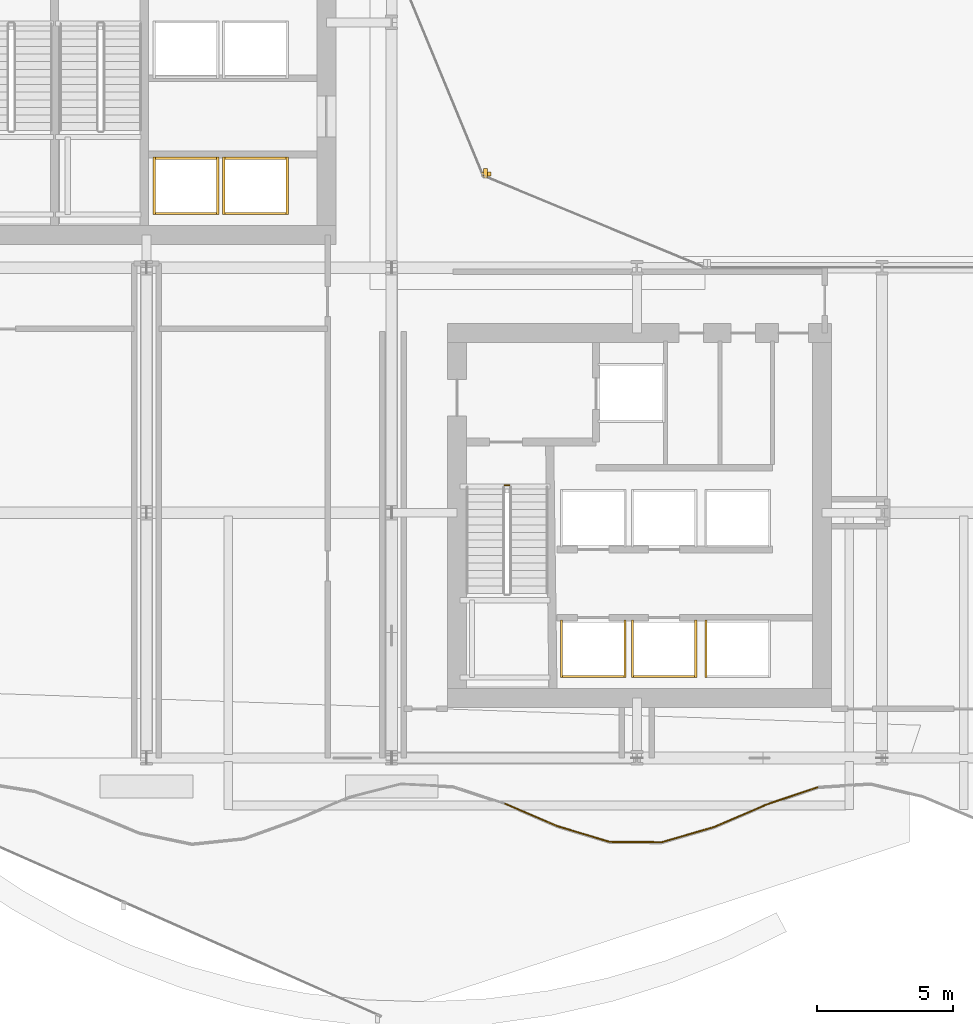
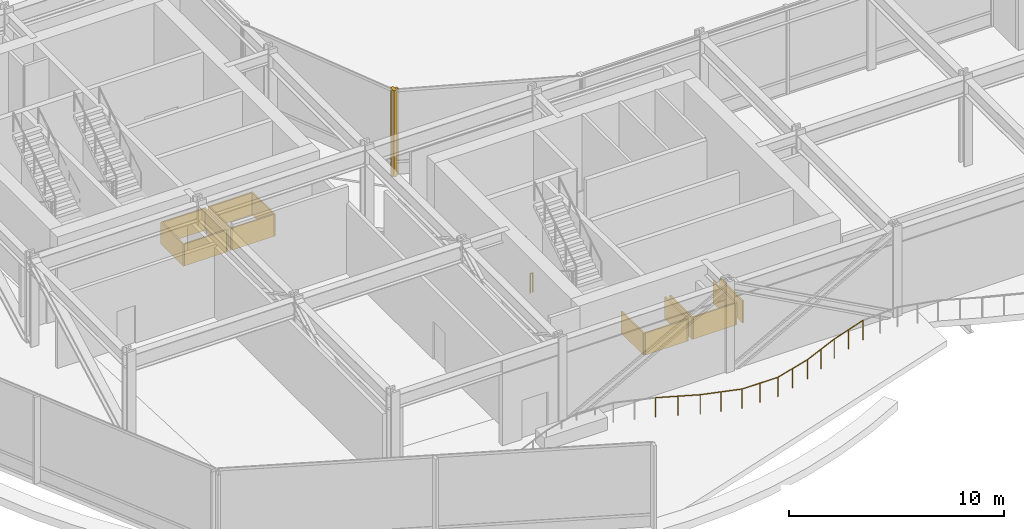
# One storey, part 33 of 37: 15 coverings, 7 railings, 2 shading devices.
"""IFC4 building model written with IfcOpenShell, lengths in metres."""

from ifc_helpers import new_model, si_unit, direction, frame, origin, origin_2d, place, context, subcontext, project, spatial, rectangle, circle, extrude, material, layer, layer_set, type_object, element, save


model = new_model("IFC4")

# Units and contexts
model_context = context("Model", 3, precision=1e-05, world=origin(), true_north=direction((0.0, 1.0)))
body_context = subcontext(model_context, "Body", "Model", "MODEL_VIEW")
ifc_project = project(units=[si_unit("LENGTHUNIT", "METRE"), si_unit("AREAUNIT", "SQUARE_METRE"), si_unit("VOLUMEUNIT", "CUBIC_METRE"), si_unit("PLANEANGLEUNIT", "RADIAN"), si_unit("MASSUNIT", "GRAM", prefix="KILO")], contexts=[model_context])

# Site, building, storey
site_placement = place(None, origin())
site = spatial("IfcSite", under=ifc_project, at=site_placement, CompositionType="ELEMENT")
building_placement = place(site_placement, origin())
building = spatial("IfcBuilding", under=site, at=building_placement, Name="Solvaryn Broadcast Tower", CompositionType="ELEMENT")
storey_placement = place(building_placement, frame((0.0, 0.0, 30.800048828125)))
storey = spatial("IfcBuildingStorey", under=building, at=storey_placement, Name="L06", CompositionType="ELEMENT", Elevation=30.800048828125)

# Coverings
ifc_material_1 = material(Name="Fire-Rated Gypsum Shaftwall Liner", Category="concrete")
ifc_layer = layer(ifc_material_1, 0.080078125)
ifc_layer_set = layer_set([ifc_layer], Name="CV-SHAFT-LINER")
covering_type = type_object("IfcCoveringType", Name="CV-SHAFT-LINER", PredefinedType="CLADDING", material=ifc_layer_set)
for number, where, z_axis, x_axis, name in (
    (1, (19.449951171875, 31.014892578125, 0.0), (0.0, 0.0, 1.0), (1.0, 0.0, 0.0), "L06 PH1 Hoistway Shaft Liner North"),
    (2, (19.449951171875, 28.985107421875, 0.0), (0.0, 0.0, 1.0), (1.0, 0.0, 0.0), "L06 PH1 Hoistway Shaft Liner South"),
):
    element("IfcCovering", number, at=place(storey_placement, frame(where, z_axis=z_axis, x_axis=x_axis)), inside=storey, type_object=covering_type, Name=name, PredefinedType="CLADDING", context=body_context, shape_type="SweptSolid", body=[
        extrude(rectangle(XDim=2.409912109375, YDim=0.080078125, at=origin_2d()), origin(), (0.0, 0.0, 1.0), 1.25),
    ])
for number, where, z_axis, x_axis, name in (
    (3, (20.614990234375, 30.0, 0.0), (0.0, 0.0, 1.0), (1.0, 0.0, 0.0), "L06 PH1 Hoistway Shaft Liner East"),
    (4, (18.284912109375, 30.0, 0.0), (0.0, 0.0, 1.0), (1.0, 0.0, 0.0), "L06 PH1 Hoistway Shaft Liner West"),
):
    element("IfcCovering", number, at=place(storey_placement, frame(where, z_axis=z_axis, x_axis=x_axis)), inside=storey, type_object=covering_type, Name=name, PredefinedType="CLADDING", context=body_context, shape_type="SweptSolid", body=[
        extrude(rectangle(XDim=0.080078125, YDim=2.110107421875, at=origin_2d()), origin(), (0.0, 0.0, 1.0), 1.25),
    ])
for number, where, z_axis, x_axis, name in (
    (5, (22.0, 31.014892578125, 0.0), (0.0, 0.0, 1.0), (1.0, 0.0, 0.0), "L06 PH2 Hoistway Shaft Liner North"),
    (6, (22.0, 28.985107421875, 0.0), (0.0, 0.0, 1.0), (1.0, 0.0, 0.0), "L06 PH2 Hoistway Shaft Liner South"),
):
    element("IfcCovering", number, at=place(storey_placement, frame(where, z_axis=z_axis, x_axis=x_axis)), inside=storey, type_object=covering_type, Name=name, PredefinedType="CLADDING", context=body_context, shape_type="SweptSolid", body=[
        extrude(rectangle(XDim=2.409912109375, YDim=0.080078125, at=origin_2d()), origin(), (0.0, 0.0, 1.0), 1.25),
    ])
for number, where, z_axis, x_axis, name in (
    (7, (23.1650390625, 30.0, 0.0), (0.0, 0.0, 1.0), (1.0, 0.0, 0.0), "L06 PH2 Hoistway Shaft Liner East"),
    (8, (20.8349609375, 30.0, 0.0), (0.0, 0.0, 1.0), (1.0, 0.0, 0.0), "L06 PH2 Hoistway Shaft Liner West"),
):
    element("IfcCovering", number, at=place(storey_placement, frame(where, z_axis=z_axis, x_axis=x_axis)), inside=storey, type_object=covering_type, Name=name, PredefinedType="CLADDING", context=body_context, shape_type="SweptSolid", body=[
        extrude(rectangle(XDim=0.080078125, YDim=2.110107421875, at=origin_2d()), origin(), (0.0, 0.0, 1.0), 1.25),
    ])
covering_1_placement = place(storey_placement, frame((34.39990234375, 11.985107421875, 0.0), z_axis=(0.0, 0.0, 1.0), x_axis=(1.0, 0.0, 0.0)))
element("IfcCovering", 9, at=covering_1_placement, inside=storey, type_object=covering_type, Name="L06 PL1 Hoistway Shaft Liner South", PredefinedType="CLADDING", context=body_context, shape_type="SweptSolid", body=[
    extrude(rectangle(XDim=2.409912109375, YDim=0.080078125, at=origin_2d()), origin(), (0.0, 0.0, 1.0), 1.25),
])
for number, where, z_axis, x_axis, name in (
    (10, (35.56494140625, 13.0, 0.0), (0.0, 0.0, 1.0), (1.0, 0.0, 0.0), "L06 PL1 Hoistway Shaft Liner East"),
    (11, (33.235107421875, 13.0, 0.0), (0.0, 0.0, 1.0), (1.0, 0.0, 0.0), "L06 PL1 Hoistway Shaft Liner West"),
):
    element("IfcCovering", number, at=place(storey_placement, frame(where, z_axis=z_axis, x_axis=x_axis)), inside=storey, type_object=covering_type, Name=name, PredefinedType="CLADDING", context=body_context, shape_type="SweptSolid", body=[
        extrude(rectangle(XDim=0.080078125, YDim=2.110107421875, at=origin_2d()), origin(), (0.0, 0.0, 1.0), 1.25),
    ])
covering_2_placement = place(storey_placement, frame((37.0, 11.985107421875, 0.0), z_axis=(0.0, 0.0, 1.0), x_axis=(1.0, 0.0, 0.0)))
element("IfcCovering", 12, at=covering_2_placement, inside=storey, type_object=covering_type, Name="L06 PL2 Hoistway Shaft Liner South", PredefinedType="CLADDING", context=body_context, shape_type="SweptSolid", body=[
    extrude(rectangle(XDim=2.409912109375, YDim=0.080078125, at=origin_2d()), origin(), (0.0, 0.0, 1.0), 1.25),
])
for number, where, z_axis, x_axis, name in (
    (13, (38.1650390625, 13.0, 0.0), (0.0, 0.0, 1.0), (1.0, 0.0, 0.0), "L06 PL2 Hoistway Shaft Liner East"),
    (14, (35.8349609375, 13.0, 0.0), (0.0, 0.0, 1.0), (1.0, 0.0, 0.0), "L06 PL2 Hoistway Shaft Liner West"),
    (15, (38.534912109375, 13.0, 0.0), (0.0, 0.0, 1.0), (1.0, 0.0, 0.0), "L06 PM1 Hoistway Shaft Liner West"),
):
    element("IfcCovering", number, at=place(storey_placement, frame(where, z_axis=z_axis, x_axis=x_axis)), inside=storey, type_object=covering_type, Name=name, PredefinedType="CLADDING", context=body_context, shape_type="SweptSolid", body=[
        extrude(rectangle(XDim=0.080078125, YDim=2.110107421875, at=origin_2d()), origin(), (0.0, 0.0, 1.0), 1.25),
    ])

# Railings
ifc_material_2 = material(Name="Painted Steel Stair Well Guard", Category="steel")
railing_type_1 = type_object("IfcRailingType", Name="RL-STAIR-GUARD", PredefinedType="BALUSTRADE", material=ifc_material_2)
railing_1_placement = place(storey_placement, frame((31.159912109375, 19.010009765625, 0.0)))
element("IfcRailing", 16, at=railing_1_placement, inside=storey, type_object=railing_type_1, Name="L06 ST3 stair guard 4", PredefinedType="BALUSTRADE", context=body_context, shape_type="SweptSolid", body=[
    extrude(circle(Radius=0.02392578125, at=origin_2d()), frame((0.0, 0.0, 1.076171875), z_axis=(1.0, 0.0, 0.0), x_axis=(0.0, 1.0, 0.0)), (0.0, 0.0, 1.0), 0.150146484375),
    extrude(circle(Radius=0.02099609375, at=origin_2d()), origin(), (0.0, 0.0, 1.0), 1.052001953125),
    extrude(circle(Radius=0.02099609375, at=origin_2d()), frame((0.150146484375, 0.0, 0.0)), (0.0, 0.0, 1.0), 1.052001953125),
])
ifc_material_3 = material(Name="Stainless Steel and Laminated Glass Guard", Category="steel")
railing_type_2 = type_object("IfcRailingType", Name="RL-TER-1150", PredefinedType="BALUSTRADE", material=ifc_material_3)
railing_2_placement = place(storey_placement, frame((31.166748046875, 7.321533203125, 0.0)))
element("IfcRailing", 17, at=railing_2_placement, inside=storey, type_object=railing_type_2, Name="L06 Terrace Guard TS06S-12", PredefinedType="BALUSTRADE", context=body_context, shape_type="SweptSolid", body=[
    extrude(circle(Radius=0.02392578125, at=origin_2d()), frame((0.0, 0.0, 1.1259765625), z_axis=(0.918350479058, -0.395768110911, 0.0), x_axis=(0.395768110911, 0.918350479058, 0.0)), (0.0, 0.0, 1.0), 2.0869140625),
    extrude(circle(Radius=0.02099609375, at=origin_2d()), origin(), (0.0, 0.0, 1.0), 1.101806640625),
    extrude(circle(Radius=0.02099609375, at=origin_2d()), frame((0.958251953125, -0.4130859375, 0.0)), (0.0, 0.0, 1.0), 1.101806640625),
    extrude(circle(Radius=0.02099609375, at=origin_2d()), frame((1.91650390625, -0.825927734375, 0.0)), (0.0, 0.0, 1.0), 1.101806640625),
])
railing_3_placement = place(storey_placement, frame((33.083251953125, 6.49560546875, 0.0)))
element("IfcRailing", 18, at=railing_3_placement, inside=storey, type_object=railing_type_2, Name="L06 Terrace Guard TS06S-13", PredefinedType="BALUSTRADE", context=body_context, shape_type="SweptSolid", body=[
    extrude(circle(Radius=0.02392578125, at=origin_2d()), frame((0.0, 0.0, 1.1259765625), z_axis=(0.957836358178, -0.287314306905, 0.0), x_axis=(0.287314306905, 0.957836358178, 0.0)), (0.0, 0.0, 1.0), 2.001220703125),
    extrude(circle(Radius=0.02099609375, at=origin_2d()), origin(), (0.0, 0.0, 1.0), 1.101806640625),
    extrude(circle(Radius=0.02099609375, at=origin_2d()), frame((0.95849609375, -0.28759765625, 0.0)), (0.0, 0.0, 1.0), 1.101806640625),
    extrude(circle(Radius=0.02099609375, at=origin_2d()), frame((1.916748046875, -0.574951171875, 0.0)), (0.0, 0.0, 1.0), 1.101806640625),
])
railing_4_placement = place(storey_placement, frame((35.0, 5.920654296875, 0.0)))
element("IfcRailing", 19, at=railing_4_placement, inside=storey, type_object=railing_type_2, Name="L06 Terrace Guard TS06S-14", PredefinedType="BALUSTRADE", context=body_context, shape_type="SweptSolid", body=[
    extrude(circle(Radius=0.02392578125, at=origin_2d()), frame((0.0, 0.0, 1.1259765625), z_axis=(0.999974562201, -0.007132667875, 0.0), x_axis=(0.007132667875, 0.999974562201, 0.0)), (0.0, 0.0, 1.0), 1.916748046875),
    extrude(circle(Radius=0.02099609375, at=origin_2d()), origin(), (0.0, 0.0, 1.0), 1.101806640625),
    extrude(circle(Radius=0.02099609375, at=origin_2d()), frame((0.95849609375, -0.0068359375, 0.0)), (0.0, 0.0, 1.0), 1.101806640625),
    extrude(circle(Radius=0.02099609375, at=origin_2d()), frame((1.916748046875, -0.013671875, 0.0)), (0.0, 0.0, 1.0), 1.101806640625),
])
railing_5_placement = place(storey_placement, frame((36.916748046875, 5.906982421875, 0.0)))
element("IfcRailing", 20, at=railing_5_placement, inside=storey, type_object=railing_type_2, Name="L06 Terrace Guard TS06S-15", PredefinedType="BALUSTRADE", context=body_context, shape_type="SweptSolid", body=[
    extrude(circle(Radius=0.02392578125, at=origin_2d()), frame((0.0, 0.0, 1.1259765625), z_axis=(0.960478218916, 0.278355152616, 0.0), x_axis=(-0.278355152616, 0.960478218916, 0.0)), (0.0, 0.0, 1.0), 1.995361328125),
    extrude(circle(Radius=0.02099609375, at=origin_2d()), origin(), (0.0, 0.0, 1.0), 1.101806640625),
    extrude(circle(Radius=0.02099609375, at=origin_2d()), frame((0.958251953125, 0.27783203125, 0.0)), (0.0, 0.0, 1.0), 1.101806640625),
    extrude(circle(Radius=0.02099609375, at=origin_2d()), frame((1.91650390625, 0.555419921875, 0.0)), (0.0, 0.0, 1.0), 1.101806640625),
])
railing_6_placement = place(storey_placement, frame((38.833251953125, 6.46240234375, 0.0)))
element("IfcRailing", 21, at=railing_6_placement, inside=storey, type_object=railing_type_2, Name="L06 Terrace Guard TS06S-16", PredefinedType="BALUSTRADE", context=body_context, shape_type="SweptSolid", body=[
    extrude(circle(Radius=0.02392578125, at=origin_2d()), frame((0.0, 0.0, 1.1259765625), z_axis=(0.918666215083, 0.39503466337, 0.0), x_axis=(-0.39503466337, 0.918666215083, 0.0)), (0.0, 0.0, 1.0), 2.08642578125),
    extrude(circle(Radius=0.02099609375, at=origin_2d()), origin(), (0.0, 0.0, 1.0), 1.101806640625),
    extrude(circle(Radius=0.02099609375, at=origin_2d()), frame((0.95849609375, 0.412109375, 0.0)), (0.0, 0.0, 1.0), 1.101806640625),
    extrude(circle(Radius=0.02099609375, at=origin_2d()), frame((1.916748046875, 0.82421875, 0.0)), (0.0, 0.0, 1.0), 1.101806640625),
])
railing_7_placement = place(storey_placement, frame((40.75, 7.28662109375, 0.0)))
element("IfcRailing", 22, at=railing_7_placement, inside=storey, type_object=railing_type_2, Name="L06 Terrace Guard TS06S-17", PredefinedType="BALUSTRADE", context=body_context, shape_type="SweptSolid", body=[
    extrude(circle(Radius=0.02392578125, at=origin_2d()), frame((0.0, 0.0, 1.1259765625), z_axis=(0.947372017038, 0.320134754961, 0.0), x_axis=(-0.320134754961, 0.947372017038, 0.0)), (0.0, 0.0, 1.0), 2.023193359375),
    extrude(circle(Radius=0.02099609375, at=origin_2d()), origin(), (0.0, 0.0, 1.0), 1.101806640625),
    extrude(circle(Radius=0.02099609375, at=origin_2d()), frame((0.95849609375, 0.32373046875, 0.0)), (0.0, 0.0, 1.0), 1.101806640625),
    extrude(circle(Radius=0.02099609375, at=origin_2d()), frame((1.916748046875, 0.647705078125, 0.0)), (0.0, 0.0, 1.0), 1.101806640625),
])

# Shading devices
ifc_material_4 = material(Name="Anodised Aluminium Acoustic Louvre", Category="aluminium")
shading_device_type = type_object("IfcShadingDeviceType", Name="LV-01 Plant Intake Louvre", PredefinedType="USERDEFINED", material=ifc_material_4)
shading_device_1_placement = place(storey_placement, frame((30.441650390625, 30.467529296875, 0.0), z_axis=(0.0, 0.0, 1.0), x_axis=(1.0, 0.0, 0.0)))
element("IfcShadingDevice", 23, at=shading_device_1_placement, inside=storey, type_object=shading_device_type, Name="L06 Plant Acoustic Louvre LV-CW-L06-CN1/M01", ObjectType="LOUVRE", PredefinedType="USERDEFINED", context=body_context, shape_type="SweptSolid", body=[
    extrude(rectangle(XDim=0.139892578125, YDim=0.340087890625, at=origin_2d()), origin(), (0.0, 0.0, 1.0), 4.919921875),
])
shading_device_2_placement = place(storey_placement, frame((30.467529296875, 30.441650390625, 0.0), z_axis=(0.0, 0.0, 1.0), x_axis=(1.0, 0.0, 0.0)))
element("IfcShadingDevice", 24, at=shading_device_2_placement, inside=storey, type_object=shading_device_type, Name="L06 Plant Acoustic Louvre LV-CW-L06-CN2/M00", ObjectType="LOUVRE", PredefinedType="USERDEFINED", context=body_context, shape_type="SweptSolid", body=[
    extrude(rectangle(XDim=0.340087890625, YDim=0.139892578125, at=origin_2d()), origin(), (0.0, 0.0, 1.0), 4.919921875),
])

save(model, "model.ifc")
